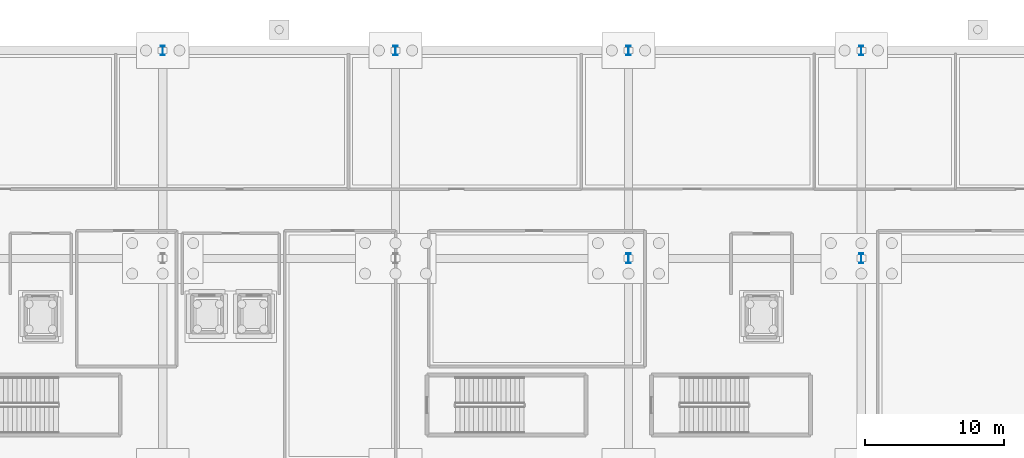
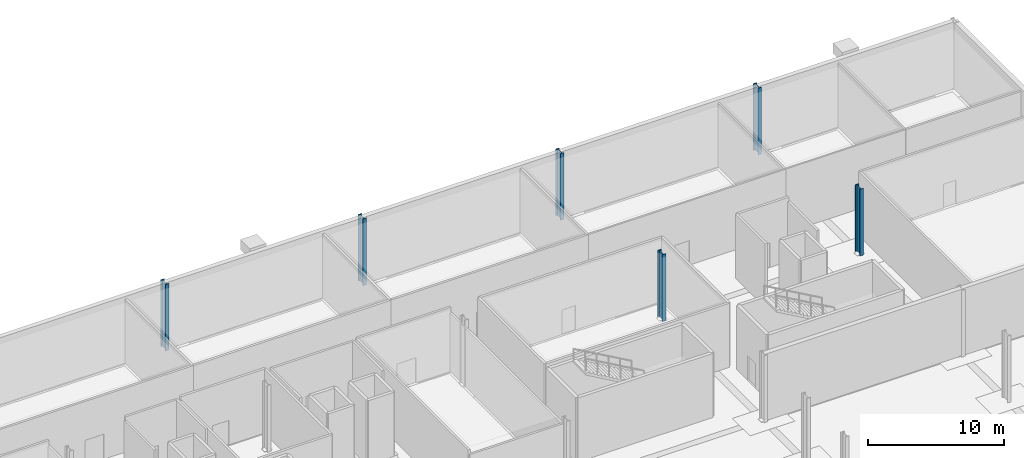
# One storey, part 14 of 46: 6 columns.
"""IFC4 building model written with IfcOpenShell, lengths in metres."""

from ifc_helpers import new_model, si_unit, direction, frame, origin, origin_2d, place, context, subcontext, project, spatial, i_section, extrude, material, material_profile, profile_set, type_object, element, save


model = new_model("IFC4")

# Units and contexts
model_context = context("Model", 3, precision=1e-05, world=origin(), true_north=direction((0.0, 1.0)))
body_context = subcontext(model_context, "Body", "Model", "MODEL_VIEW")
ifc_project = project(units=[si_unit("LENGTHUNIT", "METRE"), si_unit("AREAUNIT", "SQUARE_METRE"), si_unit("VOLUMEUNIT", "CUBIC_METRE"), si_unit("PLANEANGLEUNIT", "RADIAN"), si_unit("MASSUNIT", "GRAM", prefix="KILO")], contexts=[model_context])

# Site, building, storey
site_placement = place(None, origin())
site = spatial("IfcSite", under=ifc_project, at=site_placement, CompositionType="ELEMENT")
building_placement = place(site_placement, origin())
building = spatial("IfcBuilding", under=site, at=building_placement, Name="Kimbaza Rail Terminus", CompositionType="ELEMENT")
storey_placement = place(building_placement, frame((0.0, 0.0, -6.0)))
storey = spatial("IfcBuildingStorey", under=building, at=storey_placement, Name="B1", CompositionType="ELEMENT", Elevation=-6.0)

# Columns
ifc_material = material(Name="Steel S355", Category="steel")
ifc_material_profile = material_profile(ifc_material, i_section(OverallWidth=0.303955078125, OverallDepth=0.716064453125, WebThickness=0.02099609375, FlangeThickness=0.0400390625, FilletRadius=0.027099609375, at=origin_2d()), Name="HEM 700")
ifc_profile_set = profile_set([ifc_material_profile], Name="Steel S355")
column_type = type_object("IfcColumnType", Name="STR-COL-HEM700", PredefinedType="COLUMN", material=ifc_profile_set)
for number, where, z_axis, x_axis, name in (
    (1, (88.800048828125, 133.0, 0.0), (0.0, 0.0, 1.0), (1.0, 0.0, 0.0), "Operations Column B1 (2,2)"),
    (2, (105.60009765625, 133.0, 0.0), (0.0, 0.0, 1.0), (1.0, 0.0, 0.0), "Operations Column B1 (3,2)"),
    (3, (122.39990234375, 118.0, 0.0), (0.0, 0.0, 1.0), (1.0, 0.0, 0.0), "Operations Column B1 (4,1)"),
    (4, (122.39990234375, 133.0, 0.0), (0.0, 0.0, 1.0), (1.0, 0.0, 0.0), "Operations Column B1 (4,2)"),
    (5, (139.199951171875, 118.0, 0.0), (0.0, 0.0, 1.0), (1.0, 0.0, 0.0), "Operations Column B1 (5,1)"),
    (6, (139.199951171875, 133.0, 0.0), (0.0, 0.0, 1.0), (1.0, 0.0, 0.0), "Operations Column B1 (5,2)"),
):
    element("IfcColumn", number, at=place(storey_placement, frame(where, z_axis=z_axis, x_axis=x_axis)), inside=storey, type_object=column_type, Name=name, PredefinedType="COLUMN", context=body_context, shape_type="SweptSolid", body=[
        extrude(i_section(OverallWidth=0.303955078125, OverallDepth=0.716064453125, WebThickness=0.02099609375, FlangeThickness=0.0400390625, FilletRadius=0.027099609375, at=origin_2d()), origin(), (0.0, 0.0, 1.0), 6.0),
    ])

save(model, "model.ifc")
